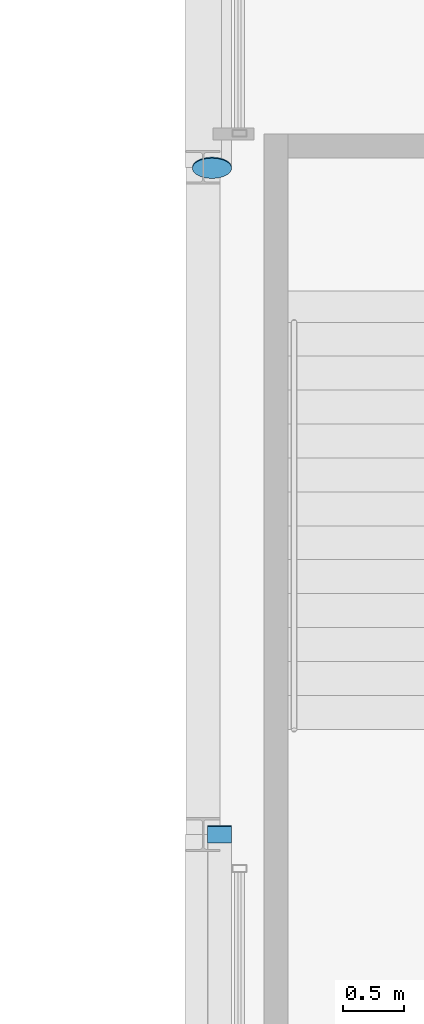
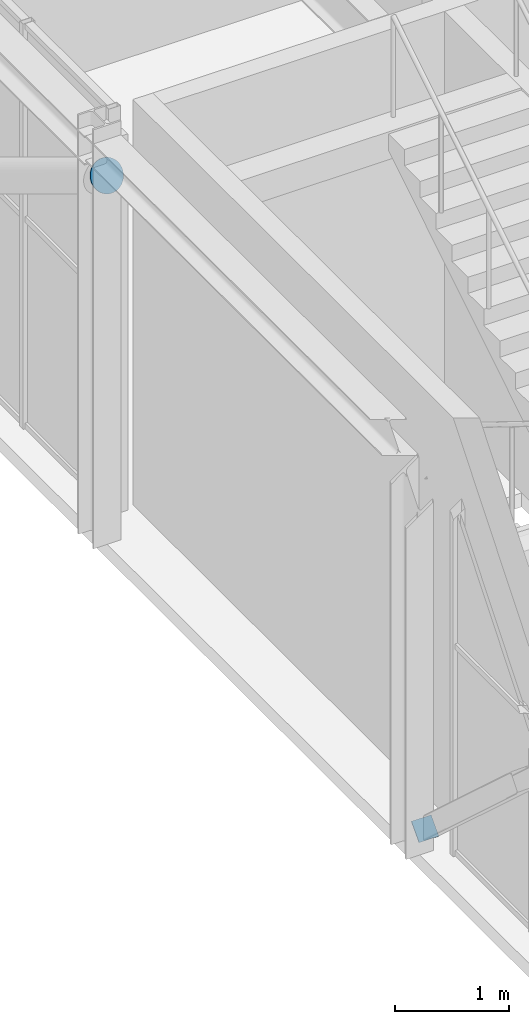
# One storey, part 59 of 70: 2 discrete accessories.
"""IFC4 building model written with IfcOpenShell, lengths in metres."""

from ifc_helpers import new_model, si_unit, direction, frame, origin, origin_2d, place, context, subcontext, project, spatial, rectangle, circle, extrude, material, material_profile, profile_set, type_object, element, save


model = new_model("IFC4")

# Units and contexts
model_context = context("Model", 3, precision=1e-05, world=origin(), true_north=direction((0.0, 1.0)))
body_context = subcontext(model_context, "Body", "Model", "MODEL_VIEW")
ifc_project = project(units=[si_unit("LENGTHUNIT", "METRE"), si_unit("AREAUNIT", "SQUARE_METRE"), si_unit("VOLUMEUNIT", "CUBIC_METRE"), si_unit("PLANEANGLEUNIT", "RADIAN"), si_unit("MASSUNIT", "GRAM", prefix="KILO")], contexts=[model_context])

# Site, building, storey
site_placement = place(None, origin())
site = spatial("IfcSite", under=ifc_project, at=site_placement, CompositionType="ELEMENT")
building_placement = place(site_placement, origin())
building = spatial("IfcBuilding", under=site, at=building_placement, Name="Kallimachos Central Library", CompositionType="ELEMENT")
storey_placement = place(building_placement, frame((0.0, 0.0, 18.89990234375)))
storey = spatial("IfcBuildingStorey", under=building, at=storey_placement, Name="L04", CompositionType="ELEMENT", Elevation=18.89990234375)

# Discrete accessories
ifc_material_1 = material(Name="Steel S355J2", Category="steel")
ifc_material_profile_1 = material_profile(ifc_material_1, rectangle(XDim=0.199951171875, YDim=0.199951171875, at=origin_2d()), Name="End cap plate 10, 200x200")
ifc_profile_set_1 = profile_set([ifc_material_profile_1], Name="Steel S355J2")
discrete_accessory_type_1 = type_object("IfcDiscreteAccessoryType", Name="End cap plate 10, 200x200", PredefinedType="BRACKET", material=ifc_profile_set_1)
discrete_accessory_1_placement = place(storey_placement, frame((65.635009765625, 105.00732421875, 0.143310546875), z_axis=(0.0, -0.731055268243, 0.68231825036), x_axis=(1.0, 0.0, 0.0)))
element("IfcDiscreteAccessory", 1, at=discrete_accessory_1_placement, inside=storey, type_object=discrete_accessory_type_1, Name="End cap plate", PredefinedType="BRACKET", context=body_context, shape_type="SweptSolid", body=[
    extrude(rectangle(XDim=0.199951171875, YDim=0.199951171875, at=origin_2d()), origin(), (0.0, 0.0, 1.0), 0.010009765625),
])
ifc_material_2 = material(Name="Steel S355J2", Category="steel")
ifc_material_profile_2 = material_profile(ifc_material_2, circle(Radius=0.161865234375, at=origin_2d()), Name="End cap plate 10, round 323.9")
ifc_profile_set_2 = profile_set([ifc_material_profile_2], Name="Steel S355J2")
discrete_accessory_type_2 = type_object("IfcDiscreteAccessoryType", Name="End cap plate 10, round 323.9", PredefinedType="BRACKET", material=ifc_profile_set_2)
discrete_accessory_2_placement = place(storey_placement, frame((65.572998046875, 110.491455078125, 3.855224609375), z_axis=(0.0, 0.857492925713, -0.514495755428), x_axis=(-1.0, 0.0, 0.0)))
element("IfcDiscreteAccessory", 2, at=discrete_accessory_2_placement, inside=storey, type_object=discrete_accessory_type_2, Name="End cap plate", PredefinedType="BRACKET", context=body_context, shape_type="SweptSolid", body=[
    extrude(circle(Radius=0.161865234375, at=origin_2d()), origin(), (0.0, 0.0, 1.0), 0.010009765625),
])

save(model, "model.ifc")
